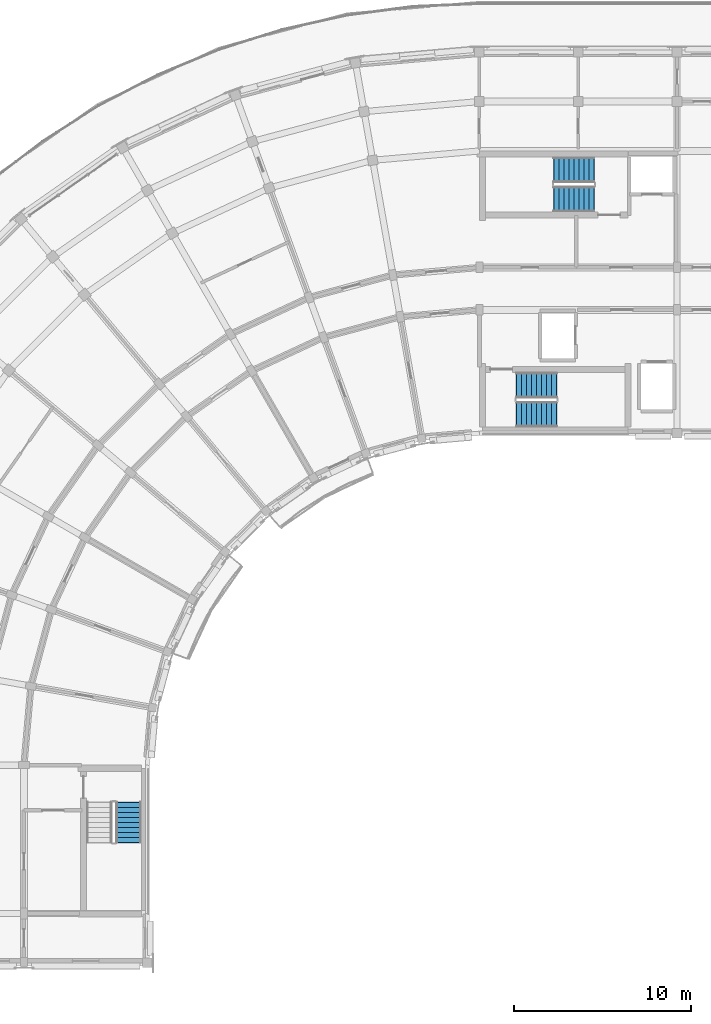
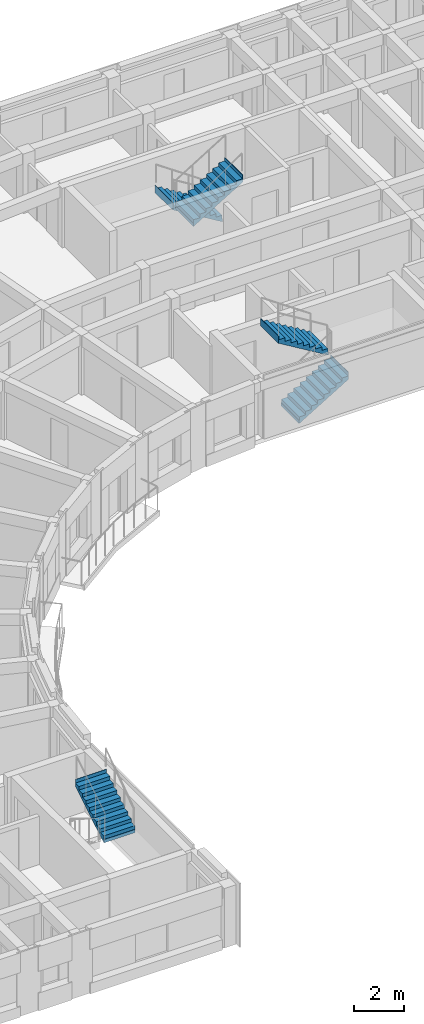
# One storey, part 16 of 23: 5 stair flights, 3 elements without a shape of their own.
"""IFC4 building model written with IfcOpenShell, lengths in metres."""

from ifc_helpers import new_model, si_unit, direction, frame, origin, place, context, subcontext, project, spatial, polyline, outline, extrude, material, type_object, element, aggregate, save


model = new_model("IFC4")

# Units and contexts
model_context = context("Model", 3, precision=1e-05, world=origin(), true_north=direction((0.0, 1.0)))
body_context = subcontext(model_context, "Body", "Model", "MODEL_VIEW")
ifc_project = project(units=[si_unit("LENGTHUNIT", "METRE"), si_unit("AREAUNIT", "SQUARE_METRE"), si_unit("VOLUMEUNIT", "CUBIC_METRE"), si_unit("PLANEANGLEUNIT", "RADIAN"), si_unit("MASSUNIT", "GRAM", prefix="KILO")], contexts=[model_context])

# Site, building, storey
site_placement = place(None, origin())
site = spatial("IfcSite", under=ifc_project, at=site_placement, CompositionType="ELEMENT")
building_placement = place(site_placement, origin())
building = spatial("IfcBuilding", under=site, at=building_placement, Name="Kiranvali Square Residences", CompositionType="ELEMENT")
storey_placement = place(building_placement, frame((0.0, 0.0, 43.35009765625)))
storey = spatial("IfcBuildingStorey", under=building, at=storey_placement, Name="L13", CompositionType="ELEMENT", Elevation=43.35009765625)

# Stair, stair flights
ifc_material = material(Name="Concrete M35 (35 MPa)", Category="concrete")
stair_type = type_object("IfcStairType", Name="ST-CORE-1700", PredefinedType="HALF_TURN_STAIR", material=ifc_material)
stair_1_placement = place(storey_placement, origin())
stair_1 = element("IfcStair", 1, at=stair_1_placement, inside=storey, type_object=stair_type, Name="L13 Block A Firefighting Exit Stair 1", PredefinedType="HALF_TURN_STAIR")
stair_flight_type = type_object("IfcStairFlightType", Name="STF-1700", PredefinedType="STRAIGHT", material=ifc_material)
stair_flight_1_placement = place(storey_placement, frame((54.699951171875, 121.52490234375, 0.0), z_axis=(0.0, 0.0, 1.0), x_axis=(-1.0, 0.0, 0.0)))
stair_flight_1 = element("IfcStairFlight", 2, at=stair_flight_1_placement, type_object=stair_flight_type, Name="ST-A1 flight 1", NumberOfRisers=9, NumberOfTreads=8, PredefinedType="STRAIGHT", RiserHeight=0.175, TreadLength=0.285, context=body_context, shape_type="SweptSolid", body=[
    extrude(outline(polyline([(-0.02001953125, -0.14990234375), (-0.02001953125, 0.0), (0.0, 0.0), (0.0, 0.175048828125), (0.284912109375, 0.175048828125), (0.284912109375, 0.35009765625), (0.570068359375, 0.35009765625), (0.570068359375, 0.52490234375), (0.85498046875, 0.52490234375), (0.85498046875, 0.699951171875), (1.139892578125, 0.699951171875), (1.139892578125, 0.875), (1.425048828125, 0.875), (1.425048828125, 1.050048828125), (1.7099609375, 1.050048828125), (1.7099609375, 1.22509765625), (1.9951171875, 1.22509765625), (1.9951171875, 1.39990234375), (2.280029296875, 1.39990234375), (2.280029296875, 1.574951171875), (2.300048828125, 1.574951171875), (2.300048828125, 1.22412109375), (2.280029296875, 1.22412109375), (0.0, -0.14990234375), (-0.02001953125, -0.14990234375)])), frame((0.0, 0.72509765625, 0.0), z_axis=(0.0, -1.0, 0.0), x_axis=(1.0, 0.0, 0.0)), (0.0, 0.0, 1.0), 1.449951171875),
])
stair_flight_2_placement = place(storey_placement, frame((52.419921875, 119.875, 1.574951171875), z_axis=(0.0, 0.0, 1.0), x_axis=(1.0, 0.0, 0.0)))
stair_flight_2 = element("IfcStairFlight", 3, at=stair_flight_2_placement, type_object=stair_flight_type, Name="ST-A1 flight 2", NumberOfRisers=9, NumberOfTreads=8, PredefinedType="STRAIGHT", RiserHeight=0.175, TreadLength=0.285, context=body_context, shape_type="SweptSolid", body=[
    extrude(outline(polyline([(-0.02001953125, -0.14990234375), (-0.02001953125, 0.0), (0.0, 0.0), (0.0, 0.175048828125), (0.284912109375, 0.175048828125), (0.284912109375, 0.35009765625), (0.570068359375, 0.35009765625), (0.570068359375, 0.52490234375), (0.85498046875, 0.52490234375), (0.85498046875, 0.699951171875), (1.139892578125, 0.699951171875), (1.139892578125, 0.875), (1.425048828125, 0.875), (1.425048828125, 1.050048828125), (1.7099609375, 1.050048828125), (1.7099609375, 1.22509765625), (1.9951171875, 1.22509765625), (1.9951171875, 1.39990234375), (2.280029296875, 1.39990234375), (2.280029296875, 1.574951171875), (2.300048828125, 1.574951171875), (2.300048828125, 1.22412109375), (2.280029296875, 1.22412109375), (0.0, -0.14990234375), (-0.02001953125, -0.14990234375)])), frame((0.0, 0.72509765625, 0.0), z_axis=(0.0, -1.0, 0.0), x_axis=(1.0, 0.0, 0.0)), (0.0, 0.0, 1.0), 1.449951171875),
])
aggregate(stair_1, [stair_flight_1, stair_flight_2])

stair_2_placement = place(storey_placement, origin())
stair_2 = element("IfcStair", 4, at=stair_2_placement, inside=storey, type_object=stair_type, Name="L13 Block A Protected Exit Stair 2", PredefinedType="HALF_TURN_STAIR")
stair_flight_3_placement = place(storey_placement, frame((50.300048828125, 107.675048828125, 0.0), z_axis=(0.0, 0.0, 1.0), x_axis=(1.0, 0.0, 0.0)))
stair_flight_3 = element("IfcStairFlight", 5, at=stair_flight_3_placement, type_object=stair_flight_type, Name="ST-A2 flight 1", NumberOfRisers=9, NumberOfTreads=8, PredefinedType="STRAIGHT", RiserHeight=0.175, TreadLength=0.285, context=body_context, shape_type="SweptSolid", body=[
    extrude(outline(polyline([(-0.02001953125, -0.14990234375), (-0.02001953125, 0.0), (0.0, 0.0), (0.0, 0.175048828125), (0.284912109375, 0.175048828125), (0.284912109375, 0.35009765625), (0.570068359375, 0.35009765625), (0.570068359375, 0.52490234375), (0.85498046875, 0.52490234375), (0.85498046875, 0.699951171875), (1.139892578125, 0.699951171875), (1.139892578125, 0.875), (1.425048828125, 0.875), (1.425048828125, 1.050048828125), (1.7099609375, 1.050048828125), (1.7099609375, 1.22509765625), (1.9951171875, 1.22509765625), (1.9951171875, 1.39990234375), (2.280029296875, 1.39990234375), (2.280029296875, 1.574951171875), (2.300048828125, 1.574951171875), (2.300048828125, 1.22412109375), (2.280029296875, 1.22412109375), (0.0, -0.14990234375), (-0.02001953125, -0.14990234375)])), frame((0.0, 0.72509765625, 0.0), z_axis=(0.0, -1.0, 0.0), x_axis=(1.0, 0.0, 0.0)), (0.0, 0.0, 1.0), 1.449951171875),
])
stair_flight_4_placement = place(storey_placement, frame((52.580078125, 109.324951171875, 1.574951171875), z_axis=(0.0, 0.0, 1.0), x_axis=(-1.0, 0.0, 0.0)))
stair_flight_4 = element("IfcStairFlight", 6, at=stair_flight_4_placement, type_object=stair_flight_type, Name="ST-A2 flight 2", NumberOfRisers=9, NumberOfTreads=8, PredefinedType="STRAIGHT", RiserHeight=0.175, TreadLength=0.285, context=body_context, shape_type="SweptSolid", body=[
    extrude(outline(polyline([(-0.02001953125, -0.14990234375), (-0.02001953125, 0.0), (0.0, 0.0), (0.0, 0.175048828125), (0.284912109375, 0.175048828125), (0.284912109375, 0.35009765625), (0.570068359375, 0.35009765625), (0.570068359375, 0.52490234375), (0.85498046875, 0.52490234375), (0.85498046875, 0.699951171875), (1.139892578125, 0.699951171875), (1.139892578125, 0.875), (1.425048828125, 0.875), (1.425048828125, 1.050048828125), (1.7099609375, 1.050048828125), (1.7099609375, 1.22509765625), (1.9951171875, 1.22509765625), (1.9951171875, 1.39990234375), (2.280029296875, 1.39990234375), (2.280029296875, 1.574951171875), (2.300048828125, 1.574951171875), (2.300048828125, 1.22412109375), (2.280029296875, 1.22412109375), (0.0, -0.14990234375), (-0.02001953125, -0.14990234375)])), frame((0.0, 0.72509765625, 0.0), z_axis=(0.0, -1.0, 0.0), x_axis=(1.0, 0.0, 0.0)), (0.0, 0.0, 1.0), 1.449951171875),
])
aggregate(stair_2, [stair_flight_3, stair_flight_4])

# Stair, stair flight
stair_3_placement = place(storey_placement, origin())
stair_3 = element("IfcStair", 7, at=stair_3_placement, inside=storey, type_object=stair_type, Name="L13 Block A Wing Protected Exit Stair 3", PredefinedType="HALF_TURN_STAIR")
stair_flight_5_placement = place(storey_placement, frame((28.324951171875, 83.419921875, 1.574951171875), z_axis=(0.0, 0.0, 1.0), x_axis=(0.0, 1.0, 0.0)))
stair_flight_5 = element("IfcStairFlight", 8, at=stair_flight_5_placement, type_object=stair_flight_type, Name="ST-A3 flight 2", NumberOfRisers=9, NumberOfTreads=8, PredefinedType="STRAIGHT", RiserHeight=0.175, TreadLength=0.285, context=body_context, shape_type="SweptSolid", body=[
    extrude(outline(polyline([(-0.02001953125, -0.14990234375), (-0.02001953125, 0.0), (0.0, 0.0), (0.0, 0.175048828125), (0.284912109375, 0.175048828125), (0.284912109375, 0.35009765625), (0.570068359375, 0.35009765625), (0.570068359375, 0.52490234375), (0.85498046875, 0.52490234375), (0.85498046875, 0.699951171875), (1.139892578125, 0.699951171875), (1.139892578125, 0.875), (1.425048828125, 0.875), (1.425048828125, 1.050048828125), (1.7099609375, 1.050048828125), (1.7099609375, 1.22509765625), (1.9951171875, 1.22509765625), (1.9951171875, 1.39990234375), (2.280029296875, 1.39990234375), (2.280029296875, 1.574951171875), (2.300048828125, 1.574951171875), (2.300048828125, 1.22412109375), (2.280029296875, 1.22412109375), (0.0, -0.14990234375), (-0.02001953125, -0.14990234375)])), frame((0.0, 0.72509765625, 0.0), z_axis=(0.0, -1.0, 0.0), x_axis=(1.0, 0.0, 0.0)), (0.0, 0.0, 1.0), 1.449951171875),
])
aggregate(stair_3, [stair_flight_5])

save(model, "model.ifc")
